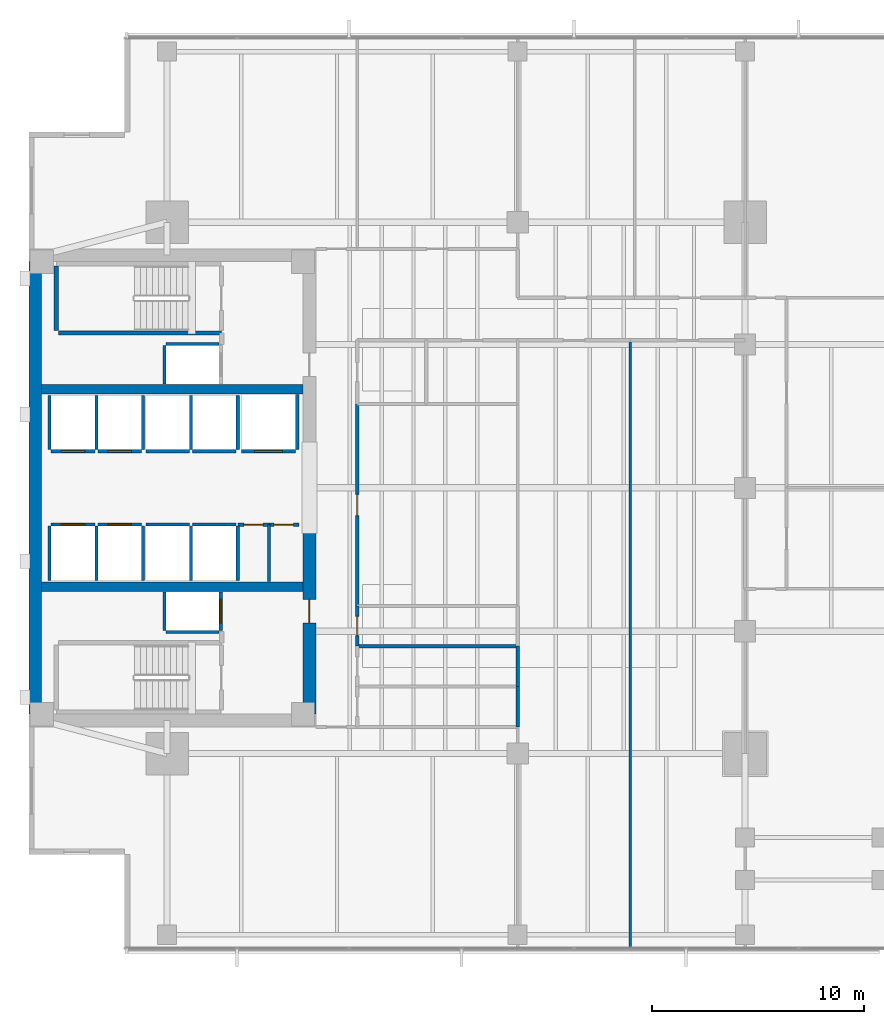
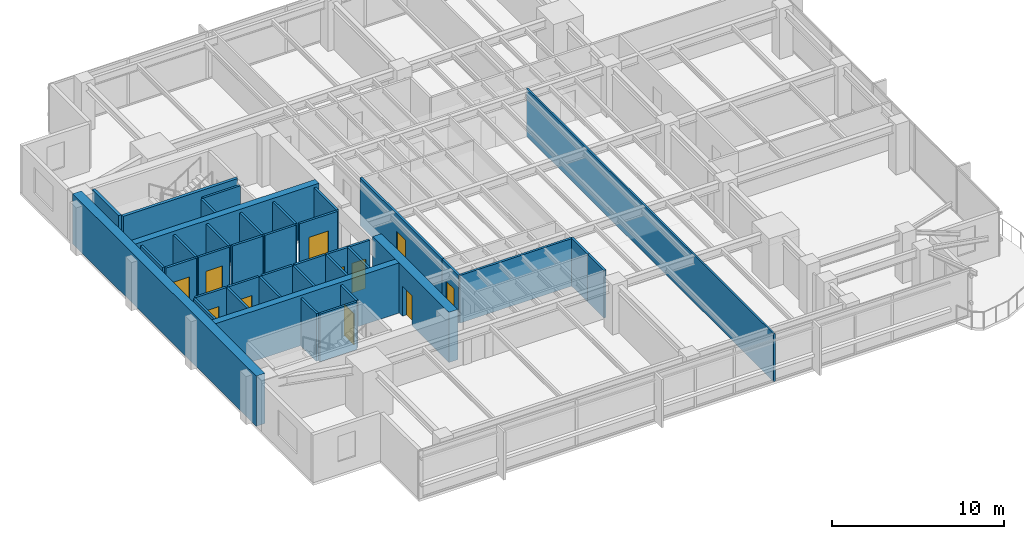
# One storey, part 8 of 14: 39 walls, 11 doors, 11 openings.
"""IFC4 building model written with IfcOpenShell, lengths in metres."""

from ifc_helpers import new_model, si_unit, direction, frame, frame_2d, origin, place, context, subcontext, project, spatial, rectangle, extrude, material, layer, layer_set, type_object, element, fill, save


model = new_model("IFC4")

# Units and contexts
model_context = context("Model", 3, precision=1e-05, world=origin(), true_north=direction((0.0, 1.0)))
body_context = subcontext(model_context, "Body", "Model", "MODEL_VIEW")
ifc_project = project(units=[si_unit("LENGTHUNIT", "METRE"), si_unit("AREAUNIT", "SQUARE_METRE"), si_unit("VOLUMEUNIT", "CUBIC_METRE"), si_unit("PLANEANGLEUNIT", "RADIAN"), si_unit("MASSUNIT", "GRAM", prefix="KILO")], contexts=[model_context])

# Site, building, storey
site_placement = place(None, origin())
site = spatial("IfcSite", under=ifc_project, at=site_placement, CompositionType="ELEMENT")
building_placement = place(site_placement, origin())
building = spatial("IfcBuilding", under=site, at=building_placement, Name="Kinhvarn Gate Tower", CompositionType="ELEMENT")
storey_placement = place(building_placement, frame((0.0, 0.0, 116.449951171875)))
storey = spatial("IfcBuildingStorey", under=building, at=storey_placement, Name="L30", CompositionType="ELEMENT", Elevation=116.449951171875)

# Walls
ifc_material_1 = material(Name="Concrete C50/60", Category="concrete")
ifc_layer_1 = layer(ifc_material_1, 0.449951171875)
ifc_layer_set_1 = layer_set([ifc_layer_1], Name="Concrete C50/60")
wall_type_1 = type_object("IfcWallType", Name="WL-CORE-450", PredefinedType="SHEAR", material=ifc_layer_set_1)
for number, where, z_axis, x_axis, name in (
    (1, (5.10009765625, 20.60009765625, 0.0), (0.0, 0.0, 1.0), (1.0, 0.0, 0.0), "Core South Spine Shear Wall L30 450 mm"),
    (2, (5.10009765625, 29.89990234375, 0.0), (0.0, 0.0, 1.0), (1.0, 0.0, 0.0), "Core North Spine Shear Wall L30 450 mm"),
):
    element("IfcWall", number, at=place(storey_placement, frame(where, z_axis=z_axis, x_axis=x_axis)), inside=storey, type_object=wall_type_1, Name=name, PredefinedType="SHEAR", context=body_context, shape_type="SweptSolid", body=[
        extrude(rectangle(XDim=12.2998046875, YDim=0.449951171875, at=frame_2d((6.14990234375, 0.0))), origin(), (0.0, 0.0, 1.0), 3.550048828125),
    ])

# Wall, opening, door
ifc_material_2 = material(Name="Concrete C60/75", Category="concrete")
ifc_layer_2 = layer(ifc_material_2, 0.60009765625)
ifc_layer_set_2 = layer_set([ifc_layer_2], Name="Concrete C60/75")
wall_type_2 = type_object("IfcWallType", Name="WL-CORE-600", PredefinedType="SHEAR", material=ifc_layer_set_2)
wall_1_placement = place(storey_placement, frame((17.699951171875, 14.60009765625, 0.0), z_axis=(0.0, 0.0, 1.0), x_axis=(0.0, 1.0, 0.0)))
wall_1 = element("IfcWall", 3, at=wall_1_placement, inside=storey, type_object=wall_type_2, Name="Core East-South Shear Pier L30 600 mm", PredefinedType="SHEAR", context=body_context, shape_type="SweptSolid", body=[
    extrude(rectangle(XDim=8.849853515625, YDim=0.60009765625, at=frame_2d((4.4248046875, 0.0))), origin(), (0.0, 0.0, 1.0), 3.550048828125),
])
opening_1_placement = place(wall_1_placement, frame((4.300048828125, 0.0, 0.0)))
opening_1 = element("IfcOpeningElement", 4, at=opening_1_placement, cuts=wall_1, Name="Opening FD-02", PredefinedType="OPENING", context=body_context, shape_type="SweptSolid", body=[
    extrude(rectangle(XDim=1.10009765625, YDim=2.14990234375, at=frame_2d((0.550048828125, 1.074951171875))), frame((0.0, 0.31005859375, 0.0), z_axis=(0.0, -1.0, 0.0), x_axis=(1.0, 0.0, 0.0)), (0.0, 0.0, 1.0), 0.6201171875),
])
ifc_material_3 = material(Name="Anodised aluminium AW-6063", Category="aluminium")
door_type_1 = type_object("IfcDoorType", Name="DR-FD-1100", OperationType="NOTDEFINED", PredefinedType="DOOR", material=ifc_material_3)
door_1_placement = place(opening_1_placement, origin())
door_1 = element("IfcDoor", 5, at=door_1_placement, inside=storey, type_object=door_type_1, Name="Firefighting Lobby Core Door (L30)", OperationType="SINGLE_SWING_RIGHT", OverallHeight=2.14990234375, OverallWidth=1.10009765625, PredefinedType="DOOR", context=body_context, shape_type="SweptSolid", body=[
    extrude(rectangle(XDim=1.10009765625, YDim=2.14990234375, at=frame_2d((0.550048828125, 1.074951171875))), frame((0.0, 0.02490234375, 0.0), z_axis=(0.0, -1.0, 0.0), x_axis=(1.0, 0.0, 0.0)), (0.0, 0.0, 1.0), 0.050048828125),
])
fill(opening_1, door_1)

# Walls
ifc_layer_3 = layer(ifc_material_2, 0.60009765625)
ifc_layer_set_3 = layer_set([ifc_layer_3], Name="Concrete C60/75")
wall_type_3 = type_object("IfcWallType", Name="WL-COREX-600", PredefinedType="SHEAR", material=ifc_layer_set_3)
wall_2_placement = place(storey_placement, frame((4.800048828125, 14.60009765625, 0.0), z_axis=(0.0, 0.0, 1.0), x_axis=(0.0, 1.0, 0.0)))
element("IfcWall", 6, at=wall_2_placement, inside=storey, type_object=wall_type_3, Name="Core West Shear Wall L30 600 mm", PredefinedType="SHEAR", context=body_context, shape_type="SweptSolid", body=[
    extrude(rectangle(XDim=21.2998046875, YDim=0.60009765625, at=frame_2d((10.64990234375, 0.0))), origin(), (0.0, 0.0, 1.0), 3.550048828125),
])
ifc_material_4 = material(Name="Gypsum acoustic partition board")
ifc_layer_4 = layer(ifc_material_4, 0.14990234375)
ifc_layer_set_4 = layer_set([ifc_layer_4], Name="Gypsum acoustic partition board")
wall_type_4 = type_object("IfcWallType", Name="WL-PLM-150", PredefinedType="PLUMBINGWALL", material=ifc_layer_set_4)
wall_3_placement = place(storey_placement, frame((27.5, 14.0, 0.0), z_axis=(0.0, 0.0, 1.0), x_axis=(0.0, 1.0, 0.0)))
element("IfcWall", 7, at=wall_3_placement, inside=storey, type_object=wall_type_4, Name="Interior Partition PLW-150 (L30)", PredefinedType="PLUMBINGWALL", context=body_context, shape_type="SweptSolid", body=[
    extrude(rectangle(XDim=1.89990234375, YDim=0.14990234375, at=frame_2d((0.949951171875, 0.0))), origin(), (0.0, 0.0, 1.0), 3.3701171875),
])
wall_4_placement = place(storey_placement, frame((19.949951171875, 17.800048828125, 0.0), z_axis=(0.0, 0.0, 1.0), x_axis=(1.0, 0.0, 0.0)))
element("IfcWall", 8, at=wall_4_placement, inside=storey, type_object=wall_type_4, Name="Interior Partition PLW-150 (L30)", PredefinedType="PLUMBINGWALL", context=body_context, shape_type="SweptSolid", body=[
    extrude(rectangle(XDim=7.550048828125, YDim=0.14990234375, at=frame_2d((3.77490234375, 0.0))), origin(), (0.0, 0.0, 1.0), 3.3701171875),
])
wall_5_placement = place(storey_placement, frame((27.5, 15.89990234375, 0.0), z_axis=(0.0, 0.0, 1.0), x_axis=(0.0, 1.0, 0.0)))
element("IfcWall", 9, at=wall_5_placement, inside=storey, type_object=wall_type_4, Name="Interior Partition PLW-150 (L30)", PredefinedType="PLUMBINGWALL", context=body_context, shape_type="SweptSolid", body=[
    extrude(rectangle(XDim=1.900146484375, YDim=0.14990234375, at=frame_2d((0.9501953125, 0.0))), origin(), (0.0, 0.0, 1.0), 3.3701171875),
])

# Wall, opening, door
ifc_layer_5 = layer(ifc_material_4, 0.14990234375)
ifc_layer_set_5 = layer_set([ifc_layer_5], Name="Gypsum acoustic partition board")
wall_type_5 = type_object("IfcWallType", Name="WL-PLM-150F", PredefinedType="PLUMBINGWALL", material=ifc_layer_set_5)
wall_6_placement = place(storey_placement, frame((19.949951171875, 17.800048828125, 0.0), z_axis=(0.0, 0.0, 1.0), x_axis=(0.0, 1.0, 0.0)))
wall_6 = element("IfcWall", 10, at=wall_6_placement, inside=storey, type_object=wall_type_5, Name="Interior Partition PLW-150F (L30)", PredefinedType="PLUMBINGWALL", context=body_context, shape_type="SweptSolid", body=[
    extrude(rectangle(XDim=1.89990234375, YDim=0.14990234375, at=frame_2d((0.949951171875, 0.0))), origin(), (0.0, 0.0, 1.0), 3.3701171875),
])
opening_2_placement = place(wall_6_placement, frame((0.5, 0.0, 0.0)))
opening_2 = element("IfcOpeningElement", 11, at=opening_2_placement, cuts=wall_6, Name="Opening FD-04", PredefinedType="OPENING", context=body_context, shape_type="SweptSolid", body=[
    extrude(rectangle(XDim=0.89990234375, YDim=2.10009765625, at=frame_2d((0.449951171875, 1.050048828125))), frame((0.0, 0.0849609375, 0.0), z_axis=(0.0, -1.0, 0.0), x_axis=(1.0, 0.0, 0.0)), (0.0, 0.0, 1.0), 0.169921875),
])
door_type_2 = type_object("IfcDoorType", Name="DR-FD-900", OperationType="NOTDEFINED", PredefinedType="DOOR", material=ifc_material_3)
door_2_placement = place(opening_2_placement, origin())
door_2 = element("IfcDoor", 12, at=door_2_placement, inside=storey, type_object=door_type_2, Name="Rated Riser & Service Closet Fire Door 900x2100 mm (L30)", OperationType="SINGLE_SWING_RIGHT", OverallHeight=2.10009765625, OverallWidth=0.89990234375, PredefinedType="DOOR", context=body_context, shape_type="SweptSolid", body=[
    extrude(rectangle(XDim=0.89990234375, YDim=2.10009765625, at=frame_2d((0.449951171875, 1.050048828125))), frame((0.0, 0.02490234375, 0.0), z_axis=(0.0, -1.0, 0.0), x_axis=(1.0, 0.0, 0.0)), (0.0, 0.0, 1.0), 0.050048828125),
])
fill(opening_2, door_2)

# Walls
ifc_layer_6 = layer(ifc_material_4, 0.1201171875)
ifc_layer_set_6 = layer_set([ifc_layer_6], Name="Gypsum acoustic partition board")
wall_type_6 = type_object("IfcWallType", Name="WL-PRT-120", PredefinedType="PARTITIONING", material=ifc_layer_set_6)
wall_7_placement = place(storey_placement, frame((32.800048828125, 3.510009765625, 0.0), z_axis=(0.0, 0.0, 1.0), x_axis=(0.0, 1.0, 0.0)))
element("IfcWall", 13, at=wall_7_placement, inside=storey, type_object=wall_type_6, Name="Interior Partition PW-120 (L30)", PredefinedType="PARTITIONING", context=body_context, shape_type="SweptSolid", body=[
    extrude(rectangle(XDim=28.68994140625, YDim=0.1201171875, at=frame_2d((14.344970703125, 0.0))), origin(), (0.0, 0.0, 1.0), 3.3701171875),
])
ifc_layer_7 = layer(ifc_material_4, 0.14990234375)
ifc_layer_set_7 = layer_set([ifc_layer_7], Name="Gypsum acoustic partition board")
wall_type_7 = type_object("IfcWallType", Name="WL-PRT-150F", PredefinedType="PARTITIONING", material=ifc_layer_set_7)
wall_8_placement = place(storey_placement, frame((15.800048828125, 20.85009765625, 0.0), z_axis=(0.0, 0.0, 1.0), x_axis=(0.0, 1.0, 0.0)))
element("IfcWall", 14, at=wall_8_placement, inside=storey, type_object=wall_type_7, Name="Interior Partition PW-150F (L30)", PredefinedType="PARTITIONING", context=body_context, shape_type="SweptSolid", body=[
    extrude(rectangle(XDim=2.669921875, YDim=0.14990234375, at=frame_2d((1.3349609375, 0.0))), origin(), (0.0, 0.0, 1.0), 3.3701171875),
])

# Wall, openings, doors
wall_9_placement = place(storey_placement, frame((14.330078125, 23.52001953125, 0.0), z_axis=(0.0, 0.0, 1.0), x_axis=(1.0, 0.0, 0.0)))
wall_9 = element("IfcWall", 15, at=wall_9_placement, inside=storey, type_object=wall_type_7, Name="Interior Partition PW-150F (L30)", PredefinedType="PARTITIONING", context=body_context, shape_type="SweptSolid", body=[
    extrude(rectangle(XDim=2.889892578125, YDim=0.14990234375, at=frame_2d((1.44482421875, 0.0))), origin(), (0.0, 0.0, 1.0), 3.3701171875),
])
opening_3_placement = place(wall_9_placement, frame((0.280029296875, 0.0, 0.0)))
opening_3 = element("IfcOpeningElement", 16, at=opening_3_placement, cuts=wall_9, Name="Opening FD-04", PredefinedType="OPENING", context=body_context, shape_type="SweptSolid", body=[
    extrude(rectangle(XDim=0.89990234375, YDim=2.10009765625, at=frame_2d((0.449951171875, 1.050048828125))), frame((0.0, 0.0849609375, 0.0), z_axis=(0.0, -1.0, 0.0), x_axis=(1.0, 0.0, 0.0)), (0.0, 0.0, 1.0), 0.169921875),
])
opening_4_placement = place(wall_9_placement, frame((1.7099609375, 0.0, 0.0)))
opening_4 = element("IfcOpeningElement", 17, at=opening_4_placement, cuts=wall_9, Name="Opening FD-04", PredefinedType="OPENING", context=body_context, shape_type="SweptSolid", body=[
    extrude(rectangle(XDim=0.89990234375, YDim=2.10009765625, at=frame_2d((0.449951171875, 1.050048828125))), frame((0.0, 0.0849609375, 0.0), z_axis=(0.0, -1.0, 0.0), x_axis=(1.0, 0.0, 0.0)), (0.0, 0.0, 1.0), 0.169921875),
])
door_3_placement = place(opening_3_placement, origin())
door_3 = element("IfcDoor", 18, at=door_3_placement, inside=storey, type_object=door_type_2, Name="Rated Riser & Service Closet Fire Door 900x2100 mm (L30)", OperationType="SINGLE_SWING_RIGHT", OverallHeight=2.10009765625, OverallWidth=0.89990234375, PredefinedType="DOOR", context=body_context, shape_type="SweptSolid", body=[
    extrude(rectangle(XDim=0.89990234375, YDim=2.10009765625, at=frame_2d((0.449951171875, 1.050048828125))), frame((0.0, 0.02490234375, 0.0), z_axis=(0.0, -1.0, 0.0), x_axis=(1.0, 0.0, 0.0)), (0.0, 0.0, 1.0), 0.050048828125),
])
fill(opening_3, door_3)
door_4_placement = place(opening_4_placement, origin())
door_4 = element("IfcDoor", 19, at=door_4_placement, inside=storey, type_object=door_type_2, Name="Rated Riser & Service Closet Fire Door 900x2100 mm (L30)", OperationType="SINGLE_SWING_LEFT", OverallHeight=2.10009765625, OverallWidth=0.89990234375, PredefinedType="DOOR", context=body_context, shape_type="SweptSolid", body=[
    extrude(rectangle(XDim=0.89990234375, YDim=2.10009765625, at=frame_2d((0.449951171875, 1.050048828125))), frame((0.0, 0.02490234375, 0.0), z_axis=(0.0, -1.0, 0.0), x_axis=(1.0, 0.0, 0.0)), (0.0, 0.0, 1.0), 0.050048828125),
])
fill(opening_4, door_4)

# Wall, opening, door
wall_10_placement = place(storey_placement, frame((19.949951171875, 19.699951171875, 0.0), z_axis=(0.0, 0.0, 1.0), x_axis=(0.0, 1.0, 0.0)))
wall_10 = element("IfcWall", 20, at=wall_10_placement, inside=storey, type_object=wall_type_7, Name="Interior Partition PW-150F (L30)", PredefinedType="PARTITIONING", context=body_context, shape_type="SweptSolid", body=[
    extrude(rectangle(XDim=9.5, YDim=0.14990234375, at=frame_2d((4.75, 0.0))), origin(), (0.0, 0.0, 1.0), 3.3701171875),
])
opening_5_placement = place(wall_10_placement, frame((4.25, 0.0, 0.0)))
opening_5 = element("IfcOpeningElement", 21, at=opening_5_placement, cuts=wall_10, Name="Opening ID-02", PredefinedType="OPENING", context=body_context, shape_type="SweptSolid", body=[
    extrude(rectangle(XDim=1.0, YDim=2.14990234375, at=frame_2d((0.5, 1.074951171875))), frame((0.0, 0.0849609375, 0.0), z_axis=(0.0, -1.0, 0.0), x_axis=(1.0, 0.0, 0.0)), (0.0, 0.0, 1.0), 0.169921875),
])
door_type_3 = type_object("IfcDoorType", Name="DR-INT-1000", OperationType="NOTDEFINED", PredefinedType="DOOR", material=ifc_material_3)
door_5_placement = place(opening_5_placement, origin())
door_5 = element("IfcDoor", 22, at=door_5_placement, inside=storey, type_object=door_type_3, Name="Standard Office & Meeting Room Door 1000x2150 mm (L30)", OperationType="SINGLE_SWING_LEFT", OverallHeight=2.14990234375, OverallWidth=1.0, PredefinedType="DOOR", context=body_context, shape_type="SweptSolid", body=[
    extrude(rectangle(XDim=1.0, YDim=2.14990234375, at=frame_2d((0.5, 1.074951171875))), frame((0.0, 0.02490234375, 0.0), z_axis=(0.0, -1.0, 0.0), x_axis=(1.0, 0.0, 0.0)), (0.0, 0.0, 1.0), 0.050048828125),
])
fill(opening_5, door_5)

ifc_layer_8 = layer(ifc_material_4, 0.14990234375)
ifc_layer_set_8 = layer_set([ifc_layer_8], Name="Gypsum acoustic partition board")
wall_type_8 = type_object("IfcWallType", Name="WL-SHF-150", PredefinedType="PARTITIONING", material=ifc_layer_set_8)
wall_11_placement = place(storey_placement, frame((5.550048828125, 23.52490234375, 0.0), z_axis=(0.0, 0.0, 1.0), x_axis=(1.0, 0.0, 0.0)))
wall_11 = element("IfcWall", 23, at=wall_11_placement, inside=storey, type_object=wall_type_8, Name="Elevator PM-05 Landing Wall (L30)", PredefinedType="PARTITIONING", context=body_context, shape_type="SweptSolid", body=[
    extrude(rectangle(XDim=2.050048828125, YDim=0.14990234375, at=frame_2d((1.02490234375, 0.0))), origin(), (0.0, 0.0, 1.0), 3.3701171875),
])
opening_6_placement = place(wall_11_placement, frame((0.47509765625, 0.0, 0.0)))
opening_6 = element("IfcOpeningElement", 24, at=opening_6_placement, cuts=wall_11, Name="Opening LD-01", PredefinedType="OPENING", context=body_context, shape_type="SweptSolid", body=[
    extrude(rectangle(XDim=1.10009765625, YDim=2.199951171875, at=frame_2d((0.550048828125, 1.10009765625))), frame((0.0, 0.0849609375, 0.0), z_axis=(0.0, -1.0, 0.0), x_axis=(1.0, 0.0, 0.0)), (0.0, 0.0, 1.0), 0.169921875),
])
door_type_4 = type_object("IfcDoorType", Name="DR-LND-PAS", OperationType="NOTDEFINED", PredefinedType="DOOR", material=ifc_material_3)
door_6_placement = place(opening_6_placement, origin())
door_6 = element("IfcDoor", 25, at=door_6_placement, inside=storey, type_object=door_type_4, Name="Elevator PM-05 Sliding Landing Door (L30)", OperationType="DOUBLE_DOOR_SLIDING", OverallHeight=2.199951171875, OverallWidth=1.10009765625, PredefinedType="DOOR", context=body_context, shape_type="SweptSolid", body=[
    extrude(rectangle(XDim=1.10009765625, YDim=2.199951171875, at=frame_2d((0.550048828125, 1.10009765625))), frame((0.0, 0.02490234375, 0.0), z_axis=(0.0, -1.0, 0.0), x_axis=(1.0, 0.0, 0.0)), (0.0, 0.0, 1.0), 0.050048828125),
])
fill(opening_6, door_6)

# Walls
for number, where, z_axis, x_axis, name in (
    (26, (5.47509765625, 20.89990234375, 0.0), (0.0, 0.0, 1.0), (0.0, 1.0, 0.0), "Elevator PM-05 Hoistway Wall W (L30)"),
    (27, (7.675048828125, 20.89990234375, 0.0), (0.0, 0.0, 1.0), (0.0, 1.0, 0.0), "Elevator PM-05 Hoistway Wall E (L30)"),
):
    element("IfcWall", number, at=place(storey_placement, frame(where, z_axis=z_axis, x_axis=x_axis)), inside=storey, type_object=wall_type_8, Name=name, PredefinedType="PARTITIONING", context=body_context, shape_type="SweptSolid", body=[
        extrude(rectangle(XDim=2.550048828125, YDim=0.14990234375, at=frame_2d((1.27490234375, 0.0))), origin(), (0.0, 0.0, 1.0), 3.3701171875),
    ])

# Wall, opening, door
wall_12_placement = place(storey_placement, frame((7.75, 23.52490234375, 0.0), z_axis=(0.0, 0.0, 1.0), x_axis=(1.0, 0.0, 0.0)))
wall_12 = element("IfcWall", 28, at=wall_12_placement, inside=storey, type_object=wall_type_8, Name="Elevator PM-06 Landing Wall (L30)", PredefinedType="PARTITIONING", context=body_context, shape_type="SweptSolid", body=[
    extrude(rectangle(XDim=2.050048828125, YDim=0.14990234375, at=frame_2d((1.02490234375, 0.0))), origin(), (0.0, 0.0, 1.0), 3.3701171875),
])
opening_7_placement = place(wall_12_placement, frame((0.47509765625, 0.0, 0.0)))
opening_7 = element("IfcOpeningElement", 29, at=opening_7_placement, cuts=wall_12, Name="Opening LD-01", PredefinedType="OPENING", context=body_context, shape_type="SweptSolid", body=[
    extrude(rectangle(XDim=1.10009765625, YDim=2.199951171875, at=frame_2d((0.550048828125, 1.10009765625))), frame((0.0, 0.0849609375, 0.0), z_axis=(0.0, -1.0, 0.0), x_axis=(1.0, 0.0, 0.0)), (0.0, 0.0, 1.0), 0.169921875),
])
door_7_placement = place(opening_7_placement, origin())
door_7 = element("IfcDoor", 30, at=door_7_placement, inside=storey, type_object=door_type_4, Name="Elevator PM-06 Sliding Landing Door (L30)", OperationType="DOUBLE_DOOR_SLIDING", OverallHeight=2.199951171875, OverallWidth=1.10009765625, PredefinedType="DOOR", context=body_context, shape_type="SweptSolid", body=[
    extrude(rectangle(XDim=1.10009765625, YDim=2.199951171875, at=frame_2d((0.550048828125, 1.10009765625))), frame((0.0, 0.02490234375, 0.0), z_axis=(0.0, -1.0, 0.0), x_axis=(1.0, 0.0, 0.0)), (0.0, 0.0, 1.0), 0.050048828125),
])
fill(opening_7, door_7)

# Wall
wall_13_placement = place(storey_placement, frame((9.875, 20.89990234375, 0.0), z_axis=(0.0, 0.0, 1.0), x_axis=(0.0, 1.0, 0.0)))
element("IfcWall", 31, at=wall_13_placement, inside=storey, type_object=wall_type_8, Name="Elevator PM-06 Hoistway Wall E (L30)", PredefinedType="PARTITIONING", context=body_context, shape_type="SweptSolid", body=[
    extrude(rectangle(XDim=2.550048828125, YDim=0.14990234375, at=frame_2d((1.27490234375, 0.0))), origin(), (0.0, 0.0, 1.0), 3.3701171875),
])

# Wall, opening, door
wall_14_placement = place(storey_placement, frame((5.550048828125, 26.97509765625, 0.0), z_axis=(0.0, 0.0, 1.0), x_axis=(1.0, 0.0, 0.0)))
wall_14 = element("IfcWall", 32, at=wall_14_placement, inside=storey, type_object=wall_type_8, Name="Elevator PM-07 Landing Wall (L30)", PredefinedType="PARTITIONING", context=body_context, shape_type="SweptSolid", body=[
    extrude(rectangle(XDim=2.050048828125, YDim=0.14990234375, at=frame_2d((1.02490234375, 0.0))), origin(), (0.0, 0.0, 1.0), 3.3701171875),
])
opening_8_placement = place(wall_14_placement, frame((0.47509765625, 0.0, 0.0)))
opening_8 = element("IfcOpeningElement", 33, at=opening_8_placement, cuts=wall_14, Name="Opening LD-01", PredefinedType="OPENING", context=body_context, shape_type="SweptSolid", body=[
    extrude(rectangle(XDim=1.10009765625, YDim=2.199951171875, at=frame_2d((0.550048828125, 1.10009765625))), frame((0.0, 0.0849609375, 0.0), z_axis=(0.0, -1.0, 0.0), x_axis=(1.0, 0.0, 0.0)), (0.0, 0.0, 1.0), 0.169921875),
])
door_8_placement = place(opening_8_placement, origin())
door_8 = element("IfcDoor", 34, at=door_8_placement, inside=storey, type_object=door_type_4, Name="Elevator PM-07 Sliding Landing Door (L30)", OperationType="DOUBLE_DOOR_SLIDING", OverallHeight=2.199951171875, OverallWidth=1.10009765625, PredefinedType="DOOR", context=body_context, shape_type="SweptSolid", body=[
    extrude(rectangle(XDim=1.10009765625, YDim=2.199951171875, at=frame_2d((0.550048828125, 1.10009765625))), frame((0.0, 0.02490234375, 0.0), z_axis=(0.0, -1.0, 0.0), x_axis=(1.0, 0.0, 0.0)), (0.0, 0.0, 1.0), 0.050048828125),
])
fill(opening_8, door_8)

# Walls
for number, where, z_axis, x_axis, name in (
    (35, (5.47509765625, 27.050048828125, 0.0), (0.0, 0.0, 1.0), (0.0, 1.0, 0.0), "Elevator PM-07 Hoistway Wall W (L30)"),
    (36, (7.675048828125, 27.050048828125, 0.0), (0.0, 0.0, 1.0), (0.0, 1.0, 0.0), "Elevator PM-07 Hoistway Wall E (L30)"),
):
    element("IfcWall", number, at=place(storey_placement, frame(where, z_axis=z_axis, x_axis=x_axis)), inside=storey, type_object=wall_type_8, Name=name, PredefinedType="PARTITIONING", context=body_context, shape_type="SweptSolid", body=[
        extrude(rectangle(XDim=2.550048828125, YDim=0.14990234375, at=frame_2d((1.27490234375, 0.0))), origin(), (0.0, 0.0, 1.0), 3.3701171875),
    ])

# Wall, opening, door
wall_15_placement = place(storey_placement, frame((7.75, 26.97509765625, 0.0), z_axis=(0.0, 0.0, 1.0), x_axis=(1.0, 0.0, 0.0)))
wall_15 = element("IfcWall", 37, at=wall_15_placement, inside=storey, type_object=wall_type_8, Name="Elevator PM-08 Landing Wall (L30)", PredefinedType="PARTITIONING", context=body_context, shape_type="SweptSolid", body=[
    extrude(rectangle(XDim=2.050048828125, YDim=0.14990234375, at=frame_2d((1.02490234375, 0.0))), origin(), (0.0, 0.0, 1.0), 3.3701171875),
])
opening_9_placement = place(wall_15_placement, frame((0.47509765625, 0.0, 0.0)))
opening_9 = element("IfcOpeningElement", 38, at=opening_9_placement, cuts=wall_15, Name="Opening LD-01", PredefinedType="OPENING", context=body_context, shape_type="SweptSolid", body=[
    extrude(rectangle(XDim=1.10009765625, YDim=2.199951171875, at=frame_2d((0.550048828125, 1.10009765625))), frame((0.0, 0.0849609375, 0.0), z_axis=(0.0, -1.0, 0.0), x_axis=(1.0, 0.0, 0.0)), (0.0, 0.0, 1.0), 0.169921875),
])
door_9_placement = place(opening_9_placement, origin())
door_9 = element("IfcDoor", 39, at=door_9_placement, inside=storey, type_object=door_type_4, Name="Elevator PM-08 Sliding Landing Door (L30)", OperationType="DOUBLE_DOOR_SLIDING", OverallHeight=2.199951171875, OverallWidth=1.10009765625, PredefinedType="DOOR", context=body_context, shape_type="SweptSolid", body=[
    extrude(rectangle(XDim=1.10009765625, YDim=2.199951171875, at=frame_2d((0.550048828125, 1.10009765625))), frame((0.0, 0.02490234375, 0.0), z_axis=(0.0, -1.0, 0.0), x_axis=(1.0, 0.0, 0.0)), (0.0, 0.0, 1.0), 0.050048828125),
])
fill(opening_9, door_9)

# Walls
wall_16_placement = place(storey_placement, frame((9.875, 27.050048828125, 0.0), z_axis=(0.0, 0.0, 1.0), x_axis=(0.0, 1.0, 0.0)))
element("IfcWall", 40, at=wall_16_placement, inside=storey, type_object=wall_type_8, Name="Elevator PM-08 Hoistway Wall E (L30)", PredefinedType="PARTITIONING", context=body_context, shape_type="SweptSolid", body=[
    extrude(rectangle(XDim=2.550048828125, YDim=0.14990234375, at=frame_2d((1.27490234375, 0.0))), origin(), (0.0, 0.0, 1.0), 3.3701171875),
])
wall_17_placement = place(storey_placement, frame((10.0, 23.52490234375, 0.0), z_axis=(0.0, 0.0, 1.0), x_axis=(1.0, 0.0, 0.0)))
element("IfcWall", 41, at=wall_17_placement, inside=storey, type_object=wall_type_8, Name="Elevator PH-09 Landing Wall (L30)", PredefinedType="PARTITIONING", context=body_context, shape_type="SweptSolid", body=[
    extrude(rectangle(XDim=2.050048828125, YDim=0.14990234375, at=frame_2d((1.02490234375, 0.0))), origin(), (0.0, 0.0, 1.0), 3.3701171875),
])
wall_18_placement = place(storey_placement, frame((12.125, 20.89990234375, 0.0), z_axis=(0.0, 0.0, 1.0), x_axis=(0.0, 1.0, 0.0)))
element("IfcWall", 42, at=wall_18_placement, inside=storey, type_object=wall_type_8, Name="Elevator PH-09 Hoistway Wall E (L30)", PredefinedType="PARTITIONING", context=body_context, shape_type="SweptSolid", body=[
    extrude(rectangle(XDim=2.550048828125, YDim=0.14990234375, at=frame_2d((1.27490234375, 0.0))), origin(), (0.0, 0.0, 1.0), 3.3701171875),
])
wall_19_placement = place(storey_placement, frame((12.199951171875, 23.52490234375, 0.0), z_axis=(0.0, 0.0, 1.0), x_axis=(1.0, 0.0, 0.0)))
element("IfcWall", 43, at=wall_19_placement, inside=storey, type_object=wall_type_8, Name="Elevator PH-10 Landing Wall (L30)", PredefinedType="PARTITIONING", context=body_context, shape_type="SweptSolid", body=[
    extrude(rectangle(XDim=2.050048828125, YDim=0.14990234375, at=frame_2d((1.02490234375, 0.0))), origin(), (0.0, 0.0, 1.0), 3.3701171875),
])
wall_20_placement = place(storey_placement, frame((14.324951171875, 20.89990234375, 0.0), z_axis=(0.0, 0.0, 1.0), x_axis=(0.0, 1.0, 0.0)))
element("IfcWall", 44, at=wall_20_placement, inside=storey, type_object=wall_type_8, Name="Elevator PH-10 Hoistway Wall E (L30)", PredefinedType="PARTITIONING", context=body_context, shape_type="SweptSolid", body=[
    extrude(rectangle(XDim=2.550048828125, YDim=0.14990234375, at=frame_2d((1.27490234375, 0.0))), origin(), (0.0, 0.0, 1.0), 3.3701171875),
])
wall_21_placement = place(storey_placement, frame((10.0, 26.97509765625, 0.0), z_axis=(0.0, 0.0, 1.0), x_axis=(1.0, 0.0, 0.0)))
element("IfcWall", 45, at=wall_21_placement, inside=storey, type_object=wall_type_8, Name="Elevator PH-11 Landing Wall (L30)", PredefinedType="PARTITIONING", context=body_context, shape_type="SweptSolid", body=[
    extrude(rectangle(XDim=2.050048828125, YDim=0.14990234375, at=frame_2d((1.02490234375, 0.0))), origin(), (0.0, 0.0, 1.0), 3.3701171875),
])
wall_22_placement = place(storey_placement, frame((12.125, 27.050048828125, 0.0), z_axis=(0.0, 0.0, 1.0), x_axis=(0.0, 1.0, 0.0)))
element("IfcWall", 46, at=wall_22_placement, inside=storey, type_object=wall_type_8, Name="Elevator PH-11 Hoistway Wall E (L30)", PredefinedType="PARTITIONING", context=body_context, shape_type="SweptSolid", body=[
    extrude(rectangle(XDim=2.550048828125, YDim=0.14990234375, at=frame_2d((1.27490234375, 0.0))), origin(), (0.0, 0.0, 1.0), 3.3701171875),
])
wall_23_placement = place(storey_placement, frame((12.199951171875, 26.97509765625, 0.0), z_axis=(0.0, 0.0, 1.0), x_axis=(1.0, 0.0, 0.0)))
element("IfcWall", 47, at=wall_23_placement, inside=storey, type_object=wall_type_8, Name="Elevator PH-12 Landing Wall (L30)", PredefinedType="PARTITIONING", context=body_context, shape_type="SweptSolid", body=[
    extrude(rectangle(XDim=2.050048828125, YDim=0.14990234375, at=frame_2d((1.02490234375, 0.0))), origin(), (0.0, 0.0, 1.0), 3.3701171875),
])
wall_24_placement = place(storey_placement, frame((14.324951171875, 27.050048828125, 0.0), z_axis=(0.0, 0.0, 1.0), x_axis=(0.0, 1.0, 0.0)))
element("IfcWall", 48, at=wall_24_placement, inside=storey, type_object=wall_type_8, Name="Elevator PH-12 Hoistway Wall E (L30)", PredefinedType="PARTITIONING", context=body_context, shape_type="SweptSolid", body=[
    extrude(rectangle(XDim=2.550048828125, YDim=0.14990234375, at=frame_2d((1.27490234375, 0.0))), origin(), (0.0, 0.0, 1.0), 3.3701171875),
])

# Wall, opening, door
wall_25_placement = place(storey_placement, frame((14.5, 26.97509765625, 0.0), z_axis=(0.0, 0.0, 1.0), x_axis=(1.0, 0.0, 0.0)))
wall_25 = element("IfcWall", 49, at=wall_25_placement, inside=storey, type_object=wall_type_8, Name="Elevator SV-01 Landing Wall (L30)", PredefinedType="PARTITIONING", context=body_context, shape_type="SweptSolid", body=[
    extrude(rectangle(XDim=2.550048828125, YDim=0.14990234375, at=frame_2d((1.27490234375, 0.0))), origin(), (0.0, 0.0, 1.0), 3.3701171875),
])
opening_10_placement = place(wall_25_placement, frame((0.625, 0.0, 0.0)))
opening_10 = element("IfcOpeningElement", 50, at=opening_10_placement, cuts=wall_25, Name="Opening LD-02", PredefinedType="OPENING", context=body_context, shape_type="SweptSolid", body=[
    extrude(rectangle(XDim=1.300048828125, YDim=2.199951171875, at=frame_2d((0.64990234375, 1.10009765625))), frame((0.0, 0.0849609375, 0.0), z_axis=(0.0, -1.0, 0.0), x_axis=(1.0, 0.0, 0.0)), (0.0, 0.0, 1.0), 0.169921875),
])
door_type_5 = type_object("IfcDoorType", Name="DR-LND-SRV", OperationType="NOTDEFINED", PredefinedType="DOOR", material=ifc_material_3)
door_10_placement = place(opening_10_placement, origin())
door_10 = element("IfcDoor", 51, at=door_10_placement, inside=storey, type_object=door_type_5, Name="Elevator SV-01 Sliding Landing Door (L30)", OperationType="DOUBLE_DOOR_SLIDING", OverallHeight=2.199951171875, OverallWidth=1.300048828125, PredefinedType="DOOR", context=body_context, shape_type="SweptSolid", body=[
    extrude(rectangle(XDim=1.300048828125, YDim=2.199951171875, at=frame_2d((0.64990234375, 1.10009765625))), frame((0.0, 0.02490234375, 0.0), z_axis=(0.0, -1.0, 0.0), x_axis=(1.0, 0.0, 0.0)), (0.0, 0.0, 1.0), 0.050048828125),
])
fill(opening_10, door_10)

# Walls
wall_26_placement = place(storey_placement, frame((17.125, 27.050048828125, 0.0), z_axis=(0.0, 0.0, 1.0), x_axis=(0.0, 1.0, 0.0)))
element("IfcWall", 52, at=wall_26_placement, inside=storey, type_object=wall_type_8, Name="Elevator SV-01 Hoistway Wall E (L30)", PredefinedType="PARTITIONING", context=body_context, shape_type="SweptSolid", body=[
    extrude(rectangle(XDim=2.599853515625, YDim=0.14990234375, at=frame_2d((1.2998046875, 0.0))), origin(), (0.0, 0.0, 1.0), 3.3701171875),
])
wall_27_placement = place(storey_placement, frame((10.949951171875, 18.47509765625, 0.0), z_axis=(0.0, 0.0, 1.0), x_axis=(1.0, 0.0, 0.0)))
element("IfcWall", 53, at=wall_27_placement, inside=storey, type_object=wall_type_8, Name="Elevator FF1 Hoistway Wall S (L30)", PredefinedType="PARTITIONING", context=body_context, shape_type="SweptSolid", body=[
    extrude(rectangle(XDim=2.5, YDim=0.14990234375, at=frame_2d((1.25, 0.0))), origin(), (0.0, 0.0, 1.0), 3.3701171875),
])
wall_28_placement = place(storey_placement, frame((10.875, 18.550048828125, 0.0), z_axis=(0.0, 0.0, 1.0), x_axis=(0.0, 1.0, 0.0)))
element("IfcWall", 54, at=wall_28_placement, inside=storey, type_object=wall_type_8, Name="Elevator FF1 Hoistway Wall W (L30)", PredefinedType="PARTITIONING", context=body_context, shape_type="SweptSolid", body=[
    extrude(rectangle(XDim=1.800048828125, YDim=0.14990234375, at=frame_2d((0.89990234375, 0.0))), origin(), (0.0, 0.0, 1.0), 3.3701171875),
])

# Wall, opening, door
wall_29_placement = place(storey_placement, frame((13.52490234375, 18.550048828125, 0.0), z_axis=(0.0, 0.0, 1.0), x_axis=(0.0, 1.0, 0.0)))
wall_29 = element("IfcWall", 55, at=wall_29_placement, inside=storey, type_object=wall_type_8, Name="Elevator FF1 Landing Wall (L30)", PredefinedType="PARTITIONING", context=body_context, shape_type="SweptSolid", body=[
    extrude(rectangle(XDim=1.800048828125, YDim=0.14990234375, at=frame_2d((0.89990234375, 0.0))), origin(), (0.0, 0.0, 1.0), 3.3701171875),
])
opening_11_placement = place(wall_29_placement, frame((0.35009765625, 0.0, 0.0)))
opening_11 = element("IfcOpeningElement", 56, at=opening_11_placement, cuts=wall_29, Name="Opening LD-03", PredefinedType="OPENING", context=body_context, shape_type="SweptSolid", body=[
    extrude(rectangle(XDim=1.10009765625, YDim=2.199951171875, at=frame_2d((0.550048828125, 1.10009765625))), frame((0.0, 0.0849609375, 0.0), z_axis=(0.0, -1.0, 0.0), x_axis=(1.0, 0.0, 0.0)), (0.0, 0.0, 1.0), 0.169921875),
])
door_type_6 = type_object("IfcDoorType", Name="DR-LND-FF", OperationType="NOTDEFINED", PredefinedType="DOOR", material=ifc_material_3)
door_11_placement = place(opening_11_placement, origin())
door_11 = element("IfcDoor", 57, at=door_11_placement, inside=storey, type_object=door_type_6, Name="Elevator FF1 Sliding Landing Door (L30)", OperationType="DOUBLE_DOOR_SLIDING", OverallHeight=2.199951171875, OverallWidth=1.10009765625, PredefinedType="DOOR", context=body_context, shape_type="SweptSolid", body=[
    extrude(rectangle(XDim=1.10009765625, YDim=2.199951171875, at=frame_2d((0.550048828125, 1.10009765625))), frame((0.0, 0.02490234375, 0.0), z_axis=(0.0, -1.0, 0.0), x_axis=(1.0, 0.0, 0.0)), (0.0, 0.0, 1.0), 0.050048828125),
])
fill(opening_11, door_11)

# Walls
wall_30_placement = place(storey_placement, frame((10.949951171875, 32.02490234375, 0.0), z_axis=(0.0, 0.0, 1.0), x_axis=(1.0, 0.0, 0.0)))
element("IfcWall", 58, at=wall_30_placement, inside=storey, type_object=wall_type_8, Name="Elevator FF2 Hoistway Wall N (L30)", PredefinedType="PARTITIONING", context=body_context, shape_type="SweptSolid", body=[
    extrude(rectangle(XDim=2.5, YDim=0.14990234375, at=frame_2d((1.25, 0.0))), origin(), (0.0, 0.0, 1.0), 3.3701171875),
])
wall_31_placement = place(storey_placement, frame((10.875, 30.14990234375, 0.0), z_axis=(0.0, 0.0, 1.0), x_axis=(0.0, 1.0, 0.0)))
element("IfcWall", 59, at=wall_31_placement, inside=storey, type_object=wall_type_8, Name="Elevator FF2 Hoistway Wall W (L30)", PredefinedType="PARTITIONING", context=body_context, shape_type="SweptSolid", body=[
    extrude(rectangle(XDim=1.800048828125, YDim=0.14990234375, at=frame_2d((0.89990234375, 0.0))), origin(), (0.0, 0.0, 1.0), 3.3701171875),
])
ifc_material_5 = material(Name="Concrete C40/50", Category="concrete")
ifc_layer_9 = layer(ifc_material_5, 0.199951171875)
ifc_layer_set_9 = layer_set([ifc_layer_9], Name="Concrete C40/50")
wall_type_9 = type_object("IfcWallType", Name="WL-SHF-200", PredefinedType="SOLIDWALL", material=ifc_layer_set_9)
wall_32_placement = place(storey_placement, frame((5.7900390625, 32.64990234375, 0.0), z_axis=(0.0, 0.0, 1.0), x_axis=(0.0, 1.0, 0.0)))
element("IfcWall", 60, at=wall_32_placement, inside=storey, type_object=wall_type_9, Name="Stair ST2 West Shaft Wall (L30)", PredefinedType="SOLIDWALL", context=body_context, shape_type="SweptSolid", body=[
    extrude(rectangle(XDim=3.050048828125, YDim=0.199951171875, at=frame_2d((1.52490234375, 0.0))), origin(), (0.0, 0.0, 1.0), 3.550048828125),
])
wall_33_placement = place(storey_placement, frame((5.89990234375, 32.5400390625, 0.0), z_axis=(0.0, 0.0, 1.0), x_axis=(1.0, 0.0, 0.0)))
element("IfcWall", 61, at=wall_33_placement, inside=storey, type_object=wall_type_9, Name="Stair ST2 South Shaft Wall (L30)", PredefinedType="SOLIDWALL", context=body_context, shape_type="SweptSolid", body=[
    extrude(rectangle(XDim=7.66015625, YDim=0.199951171875, at=frame_2d((3.830078125, 0.0))), origin(), (0.0, 0.0, 1.0), 3.550048828125),
])

save(model, "model.ifc")
